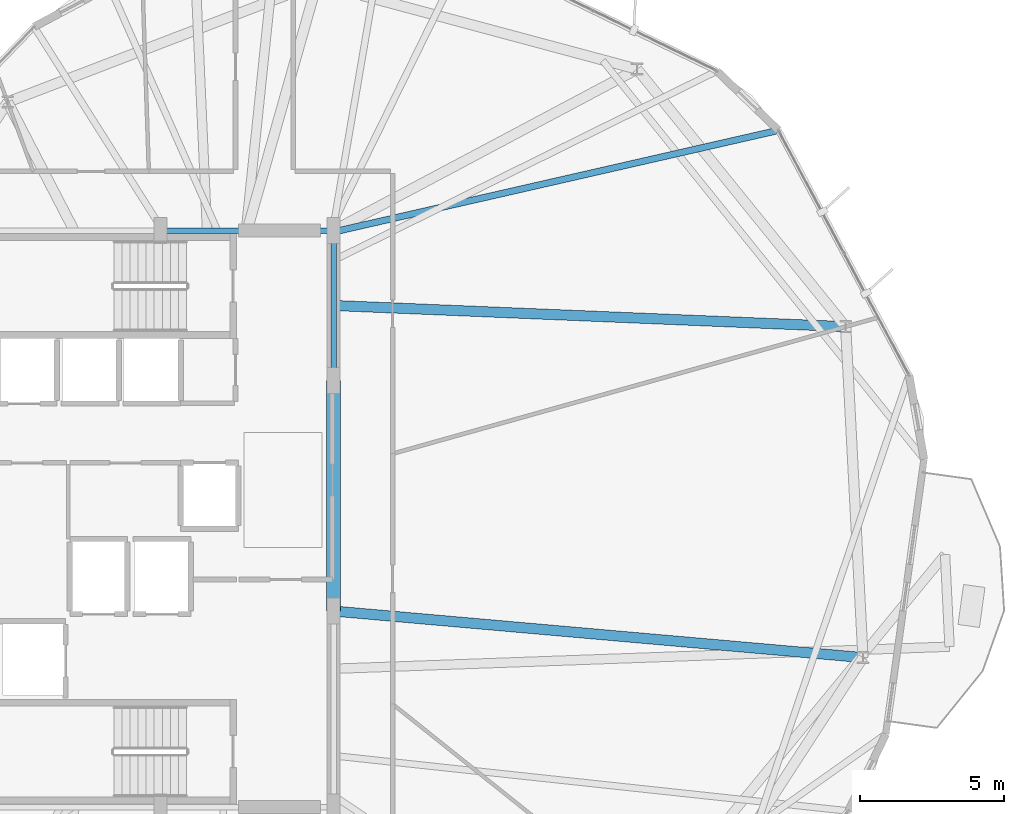
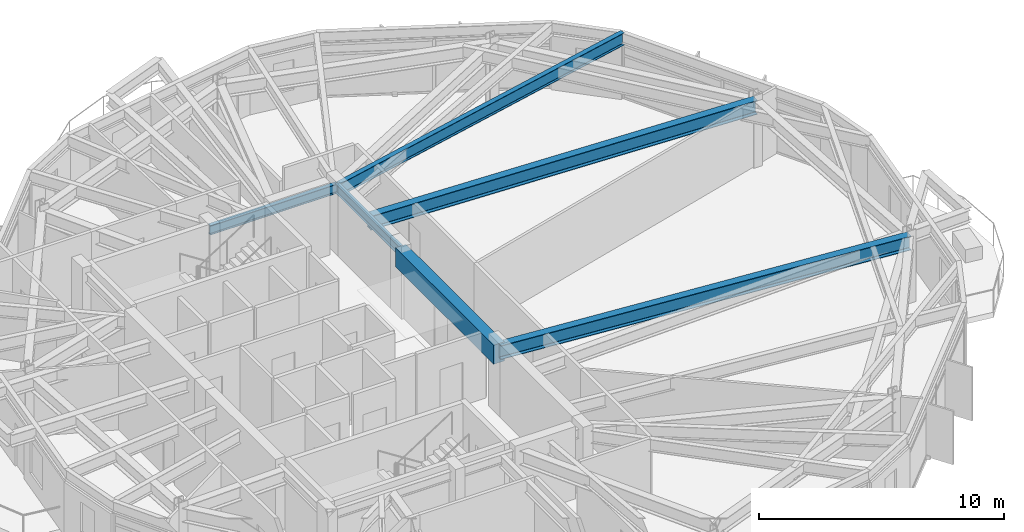
# One storey, part 10 of 28: 6 beams.
"""IFC4 building model written with IfcOpenShell, lengths in metres."""

from ifc_helpers import new_model, si_unit, direction, frame, origin, origin_2d, place, context, subcontext, project, spatial, rectangle, i_section, extrude, material, material_profile, profile_set, type_object, element, save


model = new_model("IFC4")

# Units and contexts
model_context = context("Model", 3, precision=1e-05, world=origin(), true_north=direction((0.0, 1.0)))
body_context = subcontext(model_context, "Body", "Model", "MODEL_VIEW")
ifc_project = project(units=[si_unit("LENGTHUNIT", "METRE"), si_unit("AREAUNIT", "SQUARE_METRE"), si_unit("VOLUMEUNIT", "CUBIC_METRE"), si_unit("PLANEANGLEUNIT", "RADIAN"), si_unit("MASSUNIT", "GRAM", prefix="KILO")], contexts=[model_context])

# Site, building, storey
site_placement = place(None, origin())
site = spatial("IfcSite", under=ifc_project, at=site_placement, CompositionType="ELEMENT")
building_placement = place(site_placement, origin())
building = spatial("IfcBuilding", under=site, at=building_placement, Name="Soratama Intermodal Tower", CompositionType="ELEMENT")
storey_placement = place(building_placement, frame((0.0, 0.0, 205.0)))
storey = spatial("IfcBuildingStorey", under=building, at=storey_placement, Name="L51", CompositionType="ELEMENT", Elevation=205.0)

# Beams
ifc_material_1 = material(Name="Concrete f'c 56 MPa", Category="concrete")
ifc_material_profile_1 = material_profile(ifc_material_1, rectangle(XDim=0.5, YDim=0.949951171875, at=origin_2d()), Name="RC500X950")
ifc_profile_set_1 = profile_set([ifc_material_profile_1], Name="Concrete f'c 56 MPa")
beam_type_1 = type_object("IfcBeamType", Name="BM-CPL-RC500X950", PredefinedType="BEAM", material=ifc_profile_set_1)
beam_1_placement = place(storey_placement, frame((44.60009765625, 21.800048828125, 2.824951171875), z_axis=(0.0, 1.0, 0.0), x_axis=(-1.0, 0.0, 0.0)))
element("IfcBeam", 1, at=beam_1_placement, inside=storey, type_object=beam_type_1, Name="L51 Core Coupling Beam East", PredefinedType="BEAM", context=body_context, shape_type="SweptSolid", body=[
    extrude(rectangle(XDim=0.5, YDim=0.949951171875, at=origin_2d()), origin(), (0.0, 0.0, 1.0), 8.0),
])
ifc_material_2 = material(Name="Structural steel ASTM A992 Grade 50", Category="steel")
ifc_material_profile_2 = material_profile(ifc_material_2, i_section(OverallWidth=0.19091796875, OverallDepth=0.4599609375, WebThickness=0.010009765625, FlangeThickness=0.01611328125, FilletRadius=0.010986328125, at=origin_2d()), Name="W18X55")
ifc_profile_set_2 = profile_set([ifc_material_profile_2], Name="Structural steel ASTM A992 Grade 50")
beam_type_2 = type_object("IfcBeamType", Name="BM-FLR-W18X55", PredefinedType="BEAM", material=ifc_profile_set_2)
beam_2_placement = place(storey_placement, frame((44.60009765625, 29.800048828125, 3.070068359375), z_axis=(0.0, 1.0, 0.0), x_axis=(-1.0, 0.0, 0.0)))
element("IfcBeam", 2, at=beam_2_placement, inside=storey, type_object=beam_type_2, Name="BM-L51-CRING-05", PredefinedType="BEAM", context=body_context, shape_type="SweptSolid", body=[
    extrude(i_section(OverallWidth=0.19091796875, OverallDepth=0.4599609375, WebThickness=0.010009765625, FlangeThickness=0.01611328125, FilletRadius=0.010986328125, at=origin_2d()), origin(), (0.0, 0.0, 1.0), 5.199951171875),
])
beam_3_placement = place(storey_placement, frame((44.60009765625, 35.0, 3.070068359375), z_axis=(-1.0, 0.0, 0.0), x_axis=(0.0, -1.0, 0.0)))
element("IfcBeam", 3, at=beam_3_placement, inside=storey, type_object=beam_type_2, Name="BM-L51-CRING-06", PredefinedType="BEAM", context=body_context, shape_type="SweptSolid", body=[
    extrude(i_section(OverallWidth=0.19091796875, OverallDepth=0.4599609375, WebThickness=0.010009765625, FlangeThickness=0.01611328125, FilletRadius=0.010986328125, at=origin_2d()), origin(), (0.0, 0.0, 1.0), 6.0),
])
ifc_material_3 = material(Name="Structural steel ASTM A992 Grade 50", Category="steel")
ifc_material_profile_3 = material_profile(ifc_material_3, i_section(OverallWidth=0.35498046875, OverallDepth=0.695068359375, WebThickness=0.015380859375, FlangeThickness=0.02490234375, FilletRadius=0.01611328125, at=origin_2d()), Name="W27X146")
ifc_profile_set_3 = profile_set([ifc_material_profile_3], Name="Structural steel ASTM A992 Grade 50")
beam_type_3 = type_object("IfcBeamType", Name="BM-RING-W27X146", PredefinedType="BEAM", material=ifc_profile_set_3)
beam_4_placement = place(storey_placement, frame((44.60009765625, 32.39990234375, 2.952392578125), z_axis=(0.999147788389, -0.041275864109, 0.0), x_axis=(0.041275864109, 0.999147788389, 0.0)))
element("IfcBeam", 4, at=beam_4_placement, inside=storey, type_object=beam_type_3, Name="BM-L51-RAD-01", PredefinedType="BEAM", context=body_context, shape_type="SweptSolid", body=[
    extrude(i_section(OverallWidth=0.35498046875, OverallDepth=0.695068359375, WebThickness=0.015380859375, FlangeThickness=0.02490234375, FilletRadius=0.01611328125, at=origin_2d()), origin(), (0.0, 0.0, 1.0), 17.780029296875),
])
beam_5_placement = place(storey_placement, frame((44.60009765625, 21.800048828125, 2.952392578125), z_axis=(0.996160716813, -0.087543282317, 0.0), x_axis=(0.087543282317, 0.996160716813, 0.0)))
element("IfcBeam", 5, at=beam_5_placement, inside=storey, type_object=beam_type_3, Name="BM-L51-RAD-10", PredefinedType="BEAM", context=body_context, shape_type="SweptSolid", body=[
    extrude(i_section(OverallWidth=0.35498046875, OverallDepth=0.695068359375, WebThickness=0.015380859375, FlangeThickness=0.02490234375, FilletRadius=0.01611328125, at=origin_2d()), origin(), (0.0, 0.0, 1.0), 18.436767578125),
])
ifc_material_4 = material(Name="Structural steel ASTM A992 Grade 50", Category="steel")
ifc_material_profile_4 = material_profile(ifc_material_4, i_section(OverallWidth=0.22900390625, OverallDepth=0.612060546875, WebThickness=0.011962890625, FlangeThickness=0.01953125, FilletRadius=0.012939453125, at=origin_2d()), Name="W24X84")
ifc_profile_set_4 = profile_set([ifc_material_profile_4], Name="Structural steel ASTM A992 Grade 50")
beam_type_4 = type_object("IfcBeamType", Name="BM-TIE-W24X84", PredefinedType="BEAM", material=ifc_profile_set_4)
beam_6_placement = place(storey_placement, frame((44.638916015625, 34.958984375, 2.993896484375), z_axis=(0.974892838707, 0.222674545106, 0.0), x_axis=(-0.222674545106, 0.974892838707, 0.0)))
element("IfcBeam", 6, at=beam_6_placement, inside=storey, type_object=beam_type_4, Name="BM-L51-TIE1-10", PredefinedType="BEAM", context=body_context, shape_type="SweptSolid", body=[
    extrude(i_section(OverallWidth=0.22900390625, OverallDepth=0.612060546875, WebThickness=0.011962890625, FlangeThickness=0.01953125, FilletRadius=0.012939453125, at=origin_2d()), origin(), (0.0, 0.0, 1.0), 15.794677734375),
])

save(model, "model.ifc")
